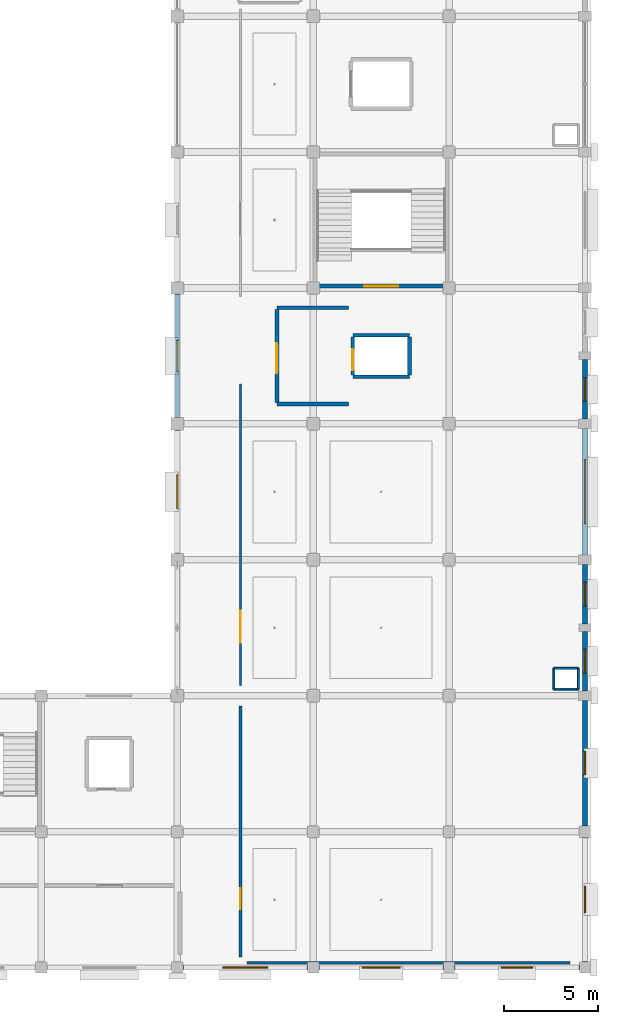
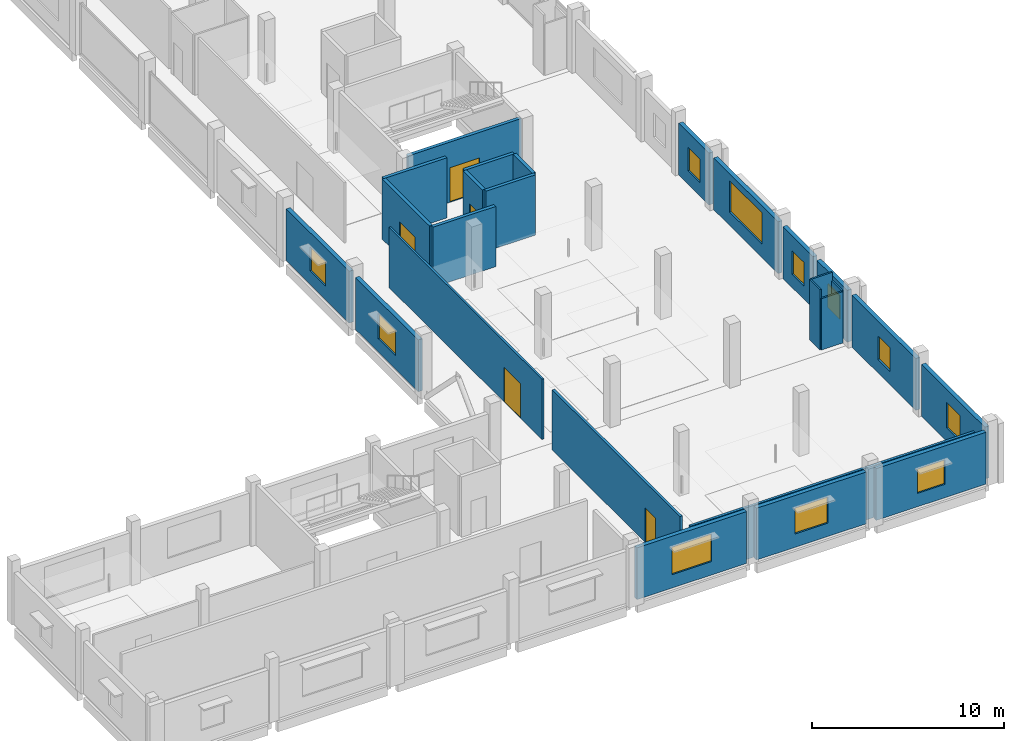
# One storey, part 57 of 77: 26 walls, 11 windows, 5 doors, 16 openings.
"""IFC4 building model written with IfcOpenShell, lengths in metres."""

from ifc_helpers import new_model, si_unit, direction, frame, frame_2d, origin, place, context, subcontext, project, spatial, rectangle, extrude, material, layer, layer_set, type_object, element, fill, save


model = new_model("IFC4")

# Units and contexts
model_context = context("Model", 3, precision=1e-05, world=origin(), true_north=direction((0.0, 1.0)))
body_context = subcontext(model_context, "Body", "Model", "MODEL_VIEW")
ifc_project = project(units=[si_unit("LENGTHUNIT", "METRE"), si_unit("AREAUNIT", "SQUARE_METRE"), si_unit("VOLUMEUNIT", "CUBIC_METRE"), si_unit("PLANEANGLEUNIT", "RADIAN"), si_unit("MASSUNIT", "GRAM", prefix="KILO")], contexts=[model_context])

# Site, building, storey
site_placement = place(None, origin())
site = spatial("IfcSite", under=ifc_project, at=site_placement, CompositionType="ELEMENT")
building_placement = place(site_placement, origin())
building = spatial("IfcBuilding", under=site, at=building_placement, Name="Kangsadwip Square Police Headquarters", CompositionType="ELEMENT")
storey_placement = place(building_placement, frame((0.0, 0.0, 17.550048828125)))
storey = spatial("IfcBuildingStorey", under=building, at=storey_placement, Name="L04", CompositionType="ELEMENT", Elevation=17.550048828125)

# Wall, opening, door
ifc_material_1 = material(Name="Fire-rated double gypsum board acoustic stud partition", Category="masonry")
ifc_layer_1 = layer(ifc_material_1, 0.1201171875)
ifc_layer_set_1 = layer_set([ifc_layer_1], Name="Fire-rated double gypsum board acoustic stud partition")
wall_type_1 = type_object("IfcWallType", Name="AcousticPartition120", PredefinedType="PARTITIONING", material=ifc_layer_set_1)
wall_1_placement = place(storey_placement, frame((147.35009765625, 36.550048828125, 0.0), z_axis=(0.0, 0.0, 1.0), x_axis=(0.0, 1.0, 0.0)))
wall_1 = element("IfcWall", 1, at=wall_1_placement, inside=storey, type_object=wall_type_1, Name="Interior Wall WI-L04-0862", PredefinedType="PARTITIONING", context=body_context, shape_type="SweptSolid", body=[
    extrude(rectangle(XDim=15.949951171875, YDim=0.1201171875, at=frame_2d((7.97509765625, 0.0))), origin(), (0.0, 0.0, 1.0), 3.829833984375),
])
opening_1_placement = place(wall_1_placement, frame((2.25, 0.0, 0.0)))
opening_1 = element("IfcOpeningElement", 2, at=opening_1_placement, cuts=wall_1, Name="Opening ID-17", PredefinedType="OPENING", context=body_context, shape_type="SweptSolid", body=[
    extrude(rectangle(XDim=1.699951171875, YDim=2.199951171875, at=frame_2d((0.85009765625, 1.10009765625))), frame((0.0, 0.070068359375, 0.0), z_axis=(0.0, -1.0, 0.0), x_axis=(1.0, 0.0, 0.0)), (0.0, 0.0, 1.0), 0.14013671875),
])
ifc_material_2 = material(Name="Insulated galvanized steel fire-rated door assembly", Category="steel")
door_type_1 = type_object("IfcDoorType", Name="LabDoubleDoor1700x2200", OperationType="DOUBLE_DOOR_SINGLE_SWING", PredefinedType="DOOR", material=ifc_material_2)
door_1_placement = place(opening_1_placement, origin())
door_1 = element("IfcDoor", 3, at=door_1_placement, inside=storey, type_object=door_type_1, Name="Interior Door ID-L04-0234", OperationType="DOUBLE_DOOR_SINGLE_SWING", OverallHeight=2.199951171875, OverallWidth=1.699951171875, PredefinedType="DOOR", context=body_context, shape_type="SweptSolid", body=[
    extrude(rectangle(XDim=1.699951171875, YDim=2.199951171875, at=frame_2d((0.85009765625, 1.10009765625))), frame((0.0, 0.02490234375, 0.0), z_axis=(0.0, -1.0, 0.0), x_axis=(1.0, 0.0, 0.0)), (0.0, 0.0, 1.0), 0.050048828125),
])
fill(opening_1, door_1)

# Wall
ifc_material_3 = material(Name="Autoclaved aerated concrete blockwork masonry", Category="masonry")
ifc_layer_2 = layer(ifc_material_3, 0.14990234375)
ifc_layer_set_2 = layer_set([ifc_layer_2], Name="Autoclaved aerated concrete blockwork masonry")
wall_type_2 = type_object("IfcWallType", Name="BlockPartition150", PredefinedType="PARTITIONING", material=ifc_layer_set_2)
wall_2_placement = place(storey_placement, frame((147.699951171875, 21.85009765625, 0.0), z_axis=(0.0, 0.0, 1.0), x_axis=(1.0, 0.0, 0.0)))
element("IfcWall", 4, at=wall_2_placement, inside=storey, type_object=wall_type_2, Name="Interior Wall WI-L04-0868", PredefinedType="PARTITIONING", context=body_context, shape_type="SweptSolid", body=[
    extrude(rectangle(XDim=17.10009765625, YDim=0.14990234375, at=frame_2d((8.550048828125, 0.0))), origin(), (0.0, 0.0, 1.0), 3.300048828125),
])

# Wall, opening, door
wall_3_placement = place(storey_placement, frame((147.35009765625, 22.14990234375, 0.0), z_axis=(0.0, 0.0, 1.0), x_axis=(0.0, 1.0, 0.0)))
wall_3 = element("IfcWall", 5, at=wall_3_placement, inside=storey, type_object=wall_type_2, Name="Interior Wall WI-L04-0869", PredefinedType="PARTITIONING", context=body_context, shape_type="SweptSolid", body=[
    extrude(rectangle(XDim=13.300048828125, YDim=0.14990234375, at=frame_2d((6.64990234375, 0.0))), origin(), (0.0, 0.0, 1.0), 3.829833984375),
])
opening_2_placement = place(wall_3_placement, frame((2.5390625, 0.0, 0.0)))
opening_2 = element("IfcOpeningElement", 6, at=opening_2_placement, cuts=wall_3, Name="Opening FD-11A", PredefinedType="OPENING", context=body_context, shape_type="SweptSolid", body=[
    extrude(rectangle(XDim=1.10009765625, YDim=2.199951171875, at=frame_2d((0.550048828125, 1.10009765625))), frame((0.0, 0.0849609375, 0.0), z_axis=(0.0, -1.0, 0.0), x_axis=(1.0, 0.0, 0.0)), (0.0, 0.0, 1.0), 0.169921875),
])
ifc_material_4 = material(Name="Insulated galvanized steel fire-rated door assembly", Category="steel")
door_type_2 = type_object("IfcDoorType", Name="LabSingleDoor1100x2200", OperationType="NOTDEFINED", PredefinedType="DOOR", material=ifc_material_4)
door_2_placement = place(opening_2_placement, origin())
door_2 = element("IfcDoor", 7, at=door_2_placement, inside=storey, type_object=door_type_2, Name="Interior Door ID-L04-0238", OperationType="SINGLE_SWING_LEFT", OverallHeight=2.199951171875, OverallWidth=1.10009765625, PredefinedType="DOOR", context=body_context, shape_type="SweptSolid", body=[
    extrude(rectangle(XDim=1.10009765625, YDim=2.199951171875, at=frame_2d((0.550048828125, 1.10009765625))), frame((0.0, 0.02490234375, 0.0), z_axis=(0.0, -1.0, 0.0), x_axis=(1.0, 0.0, 0.0)), (0.0, 0.0, 1.0), 0.050048828125),
])
fill(opening_2, door_2)

# Wall, opening, window
ifc_material_5 = material(Name="Glazed architectural terracotta masonry rainscreen", Category="masonry")
ifc_layer_3 = layer(ifc_material_5, 0.25)
ifc_layer_set_3 = layer_set([ifc_layer_3], Name="Glazed architectural terracotta masonry rainscreen")
wall_type_3 = type_object("IfcWallType", Name="ChicagoTerracottaWall250", PredefinedType="SOLIDWALL", material=ifc_layer_set_3)
wall_4_placement = place(storey_placement, frame((144.294921875, 21.60009765625, 0.0), z_axis=(0.0, 0.0, 1.0), x_axis=(1.0, 0.0, 0.0)))
wall_4 = element("IfcWall", 8, at=wall_4_placement, inside=storey, type_object=wall_type_3, Name="Exterior Wall WE-L04-425", PredefinedType="SOLIDWALL", context=body_context, shape_type="SweptSolid", body=[
    extrude(rectangle(XDim=6.610107421875, YDim=0.25, at=frame_2d((3.30517578125, 0.0))), origin(), (0.0, 0.0, 1.0), 3.294921875),
])
opening_3_placement = place(wall_4_placement, frame((2.10498046875, 0.0, 0.85009765625)))
opening_3 = element("IfcOpeningElement", 9, at=opening_3_placement, cuts=wall_4, Name="Opening WN-07", PredefinedType="OPENING", context=body_context, shape_type="SweptSolid", body=[
    extrude(rectangle(XDim=2.39990234375, YDim=1.75, at=frame_2d((1.199951171875, 0.875))), frame((0.0, 0.135009765625, 0.0), z_axis=(0.0, -1.0, 0.0), x_axis=(1.0, 0.0, 0.0)), (0.0, 0.0, 1.0), 0.27001953125),
])
ifc_material_6 = material(Name="Double-glazed solar-control low-E safety glass", Category="glass")
window_type_1 = type_object("IfcWindowType", Name="ChicagoDoubleMullWin2400x1750", PartitioningType="DOUBLE_PANEL_VERTICAL", PredefinedType="WINDOW", material=ifc_material_6)
window_1_placement = place(opening_3_placement, origin())
window_1 = element("IfcWindow", 10, at=window_1_placement, inside=storey, type_object=window_type_1, Name="Window WN-L04-0276", OverallHeight=1.75, OverallWidth=2.39990234375, PartitioningType="SINGLE_PANEL", PredefinedType="WINDOW", context=body_context, shape_type="SweptSolid", body=[
    extrude(rectangle(XDim=2.39990234375, YDim=1.75, at=frame_2d((1.199951171875, 0.875))), frame((0.0, 0.030029296875, 0.0), z_axis=(0.0, -1.0, 0.0), x_axis=(1.0, 0.0, 0.0)), (0.0, 0.0, 1.0), 0.06005859375),
])
fill(opening_3, window_1)

wall_5_placement = place(storey_placement, frame((151.4951171875, 21.60009765625, 0.0), z_axis=(0.0, 0.0, 1.0), x_axis=(1.0, 0.0, 0.0)))
wall_5 = element("IfcWall", 11, at=wall_5_placement, inside=storey, type_object=wall_type_3, Name="Exterior Wall WE-L04-426", PredefinedType="SOLIDWALL", context=body_context, shape_type="SweptSolid", body=[
    extrude(rectangle(XDim=6.60986328125, YDim=0.25, at=frame_2d((3.304931640625, 0.0))), origin(), (0.0, 0.0, 1.0), 3.294921875),
])
opening_4_placement = place(wall_5_placement, frame((2.304931640625, 0.0, 0.85009765625)))
opening_4 = element("IfcOpeningElement", 12, at=opening_4_placement, cuts=wall_5, Name="Opening WN-09", PredefinedType="OPENING", context=body_context, shape_type="SweptSolid", body=[
    extrude(rectangle(XDim=2.0, YDim=1.64990234375, at=frame_2d((1.0, 0.824951171875))), frame((0.0, 0.135009765625, 0.0), z_axis=(0.0, -1.0, 0.0), x_axis=(1.0, 0.0, 0.0)), (0.0, 0.0, 1.0), 0.27001953125),
])
ifc_material_7 = material(Name="Double-glazed solar-control low-E safety glass", Category="glass")
window_type_2 = type_object("IfcWindowType", Name="ChicagoDoubleMullWin2000x1650", PartitioningType="DOUBLE_PANEL_VERTICAL", PredefinedType="WINDOW", material=ifc_material_7)
window_2_placement = place(opening_4_placement, origin())
window_2 = element("IfcWindow", 13, at=window_2_placement, inside=storey, type_object=window_type_2, Name="Window WN-L04-0277", OverallHeight=1.64990234375, OverallWidth=2.0, PartitioningType="SINGLE_PANEL", PredefinedType="WINDOW", context=body_context, shape_type="SweptSolid", body=[
    extrude(rectangle(XDim=2.0, YDim=1.64990234375, at=frame_2d((1.0, 0.824951171875))), frame((0.0, 0.030029296875, 0.0), z_axis=(0.0, -1.0, 0.0), x_axis=(1.0, 0.0, 0.0)), (0.0, 0.0, 1.0), 0.06005859375),
])
fill(opening_4, window_2)

wall_6_placement = place(storey_placement, frame((158.695068359375, 21.60009765625, 0.0), z_axis=(0.0, 0.0, 1.0), x_axis=(1.0, 0.0, 0.0)))
wall_6 = element("IfcWall", 14, at=wall_6_placement, inside=storey, type_object=wall_type_3, Name="Exterior Wall WE-L04-427", PredefinedType="SOLIDWALL", context=body_context, shape_type="SweptSolid", body=[
    extrude(rectangle(XDim=6.60986328125, YDim=0.25, at=frame_2d((3.304931640625, 0.0))), origin(), (0.0, 0.0, 1.0), 3.294921875),
])
opening_5_placement = place(wall_6_placement, frame((2.47998046875, 0.0, 0.85009765625)))
opening_5 = element("IfcOpeningElement", 15, at=opening_5_placement, cuts=wall_6, Name="Opening WN-11", PredefinedType="OPENING", context=body_context, shape_type="SweptSolid", body=[
    extrude(rectangle(XDim=1.64990234375, YDim=1.550048828125, at=frame_2d((0.824951171875, 0.77490234375))), frame((0.0, 0.135009765625, 0.0), z_axis=(0.0, -1.0, 0.0), x_axis=(1.0, 0.0, 0.0)), (0.0, 0.0, 1.0), 0.27001953125),
])
ifc_material_8 = material(Name="Double-glazed solar-control low-E safety glass", Category="glass")
window_type_3 = type_object("IfcWindowType", Name="LabCleanViewWin1650x1550", PartitioningType="SINGLE_PANEL", PredefinedType="WINDOW", material=ifc_material_8)
window_3_placement = place(opening_5_placement, origin())
window_3 = element("IfcWindow", 16, at=window_3_placement, inside=storey, type_object=window_type_3, Name="Window WN-L04-0278", OverallHeight=1.550048828125, OverallWidth=1.64990234375, PartitioningType="SINGLE_PANEL", PredefinedType="WINDOW", context=body_context, shape_type="SweptSolid", body=[
    extrude(rectangle(XDim=1.64990234375, YDim=1.550048828125, at=frame_2d((0.824951171875, 0.77490234375))), frame((0.0, 0.030029296875, 0.0), z_axis=(0.0, -1.0, 0.0), x_axis=(1.0, 0.0, 0.0)), (0.0, 0.0, 1.0), 0.06005859375),
])
fill(opening_5, window_3)

wall_7_placement = place(storey_placement, frame((144.0, 43.52001953125, 0.0), z_axis=(0.0, 0.0, 1.0), x_axis=(0.0, 1.0, 0.0)))
wall_7 = element("IfcWall", 17, at=wall_7_placement, inside=storey, type_object=wall_type_3, Name="Exterior Wall WE-L04-458", PredefinedType="SOLIDWALL", context=body_context, shape_type="SweptSolid", body=[
    extrude(rectangle(XDim=6.56005859375, YDim=0.25, at=frame_2d((3.280029296875, 0.0))), origin(), (0.0, 0.0, 1.0), 3.294921875),
])
opening_6_placement = place(wall_7_placement, frame((2.3798828125, 0.0, 0.85009765625)))
opening_6 = element("IfcOpeningElement", 18, at=opening_6_placement, cuts=wall_7, Name="Opening WN-10", PredefinedType="OPENING", context=body_context, shape_type="SweptSolid", body=[
    extrude(rectangle(XDim=1.800048828125, YDim=1.60009765625, at=frame_2d((0.89990234375, 0.800048828125))), frame((0.0, 0.135009765625, 0.0), z_axis=(0.0, -1.0, 0.0), x_axis=(1.0, 0.0, 0.0)), (0.0, 0.0, 1.0), 0.27001953125),
])
ifc_material_9 = material(Name="Double-glazed solar-control low-E safety glass", Category="glass")
window_type_4 = type_object("IfcWindowType", Name="LabCleanViewWin1800x1600", PartitioningType="DOUBLE_PANEL_VERTICAL", PredefinedType="WINDOW", material=ifc_material_9)
window_4_placement = place(opening_6_placement, origin())
window_4 = element("IfcWindow", 19, at=window_4_placement, inside=storey, type_object=window_type_4, Name="Window WN-L04-0308", OverallHeight=1.60009765625, OverallWidth=1.800048828125, PartitioningType="SINGLE_PANEL", PredefinedType="WINDOW", context=body_context, shape_type="SweptSolid", body=[
    extrude(rectangle(XDim=1.800048828125, YDim=1.60009765625, at=frame_2d((0.89990234375, 0.800048828125))), frame((0.0, 0.030029296875, 0.0), z_axis=(0.0, -1.0, 0.0), x_axis=(1.0, 0.0, 0.0)), (0.0, 0.0, 1.0), 0.06005859375),
])
fill(opening_6, window_4)

wall_8_placement = place(storey_placement, frame((144.0, 50.719970703125, 0.0), z_axis=(0.0, 0.0, 1.0), x_axis=(0.0, 1.0, 0.0)))
wall_8 = element("IfcWall", 20, at=wall_8_placement, inside=storey, type_object=wall_type_3, Name="Exterior Wall WE-L04-459", PredefinedType="SOLIDWALL", context=body_context, shape_type="SweptSolid", body=[
    extrude(rectangle(XDim=6.56005859375, YDim=0.25, at=frame_2d((3.280029296875, 0.0))), origin(), (0.0, 0.0, 1.0), 3.294921875),
])
opening_7_placement = place(wall_8_placement, frame((2.455078125, 0.0, 0.85009765625)))
opening_7 = element("IfcOpeningElement", 21, at=opening_7_placement, cuts=wall_8, Name="Opening WN-11", PredefinedType="OPENING", context=body_context, shape_type="SweptSolid", body=[
    extrude(rectangle(XDim=1.64990234375, YDim=1.550048828125, at=frame_2d((0.824951171875, 0.77490234375))), frame((0.0, 0.135009765625, 0.0), z_axis=(0.0, -1.0, 0.0), x_axis=(1.0, 0.0, 0.0)), (0.0, 0.0, 1.0), 0.27001953125),
])
window_5_placement = place(opening_7_placement, origin())
window_5 = element("IfcWindow", 22, at=window_5_placement, inside=storey, type_object=window_type_3, Name="Window WN-L04-0309", OverallHeight=1.550048828125, OverallWidth=1.64990234375, PartitioningType="SINGLE_PANEL", PredefinedType="WINDOW", context=body_context, shape_type="SweptSolid", body=[
    extrude(rectangle(XDim=1.64990234375, YDim=1.550048828125, at=frame_2d((0.824951171875, 0.77490234375))), frame((0.0, 0.030029296875, 0.0), z_axis=(0.0, -1.0, 0.0), x_axis=(1.0, 0.0, 0.0)), (0.0, 0.0, 1.0), 0.06005859375),
])
fill(opening_7, window_5)

wall_9_placement = place(storey_placement, frame((165.60009765625, 21.89501953125, 0.0), z_axis=(0.0, 0.0, 1.0), x_axis=(0.0, 1.0, 0.0)))
wall_9 = element("IfcWall", 23, at=wall_9_placement, inside=storey, type_object=wall_type_3, Name="Exterior Wall WE-L04-463", PredefinedType="SOLIDWALL", context=body_context, shape_type="SweptSolid", body=[
    extrude(rectangle(XDim=6.60986328125, YDim=0.25, at=frame_2d((3.304931640625, 0.0))), origin(), (0.0, 0.0, 1.0), 3.294921875),
])
opening_8_placement = place(wall_9_placement, frame((2.60498046875, 0.0, 0.85009765625)))
opening_8 = element("IfcOpeningElement", 24, at=opening_8_placement, cuts=wall_9, Name="Opening WN-13", PredefinedType="OPENING", context=body_context, shape_type="SweptSolid", body=[
    extrude(rectangle(XDim=1.39990234375, YDim=1.60009765625, at=frame_2d((0.699951171875, 0.800048828125))), frame((0.0, 0.135009765625, 0.0), z_axis=(0.0, -1.0, 0.0), x_axis=(1.0, 0.0, 0.0)), (0.0, 0.0, 1.0), 0.27001953125),
])
ifc_material_10 = material(Name="Double-glazed solar-control low-E safety glass", Category="glass")
window_type_5 = type_object("IfcWindowType", Name="OfficeCasementWin1400x1600", PartitioningType="SINGLE_PANEL", PredefinedType="WINDOW", material=ifc_material_10)
window_6_placement = place(opening_8_placement, origin())
window_6 = element("IfcWindow", 25, at=window_6_placement, inside=storey, type_object=window_type_5, Name="Window WN-L04-0313", OverallHeight=1.60009765625, OverallWidth=1.39990234375, PartitioningType="SINGLE_PANEL", PredefinedType="WINDOW", context=body_context, shape_type="SweptSolid", body=[
    extrude(rectangle(XDim=1.39990234375, YDim=1.60009765625, at=frame_2d((0.699951171875, 0.800048828125))), frame((0.0, 0.030029296875, 0.0), z_axis=(0.0, -1.0, 0.0), x_axis=(1.0, 0.0, 0.0)), (0.0, 0.0, 1.0), 0.06005859375),
])
fill(opening_8, window_6)

wall_10_placement = place(storey_placement, frame((165.60009765625, 29.094970703125, 0.0), z_axis=(0.0, 0.0, 1.0), x_axis=(0.0, 1.0, 0.0)))
wall_10 = element("IfcWall", 26, at=wall_10_placement, inside=storey, type_object=wall_type_3, Name="Exterior Wall WE-L04-464", PredefinedType="SOLIDWALL", context=body_context, shape_type="SweptSolid", body=[
    extrude(rectangle(XDim=6.659912109375, YDim=0.25, at=frame_2d((3.330078125, 0.0))), origin(), (0.0, 0.0, 1.0), 3.294921875),
])
opening_9_placement = place(wall_10_placement, frame((2.705078125, 0.0, 0.85009765625)))
opening_9 = element("IfcOpeningElement", 27, at=opening_9_placement, cuts=wall_10, Name="Opening WN-14", PredefinedType="OPENING", context=body_context, shape_type="SweptSolid", body=[
    extrude(rectangle(XDim=1.25, YDim=1.5, at=frame_2d((0.625, 0.75))), frame((0.0, 0.135009765625, 0.0), z_axis=(0.0, -1.0, 0.0), x_axis=(1.0, 0.0, 0.0)), (0.0, 0.0, 1.0), 0.27001953125),
])
ifc_material_11 = material(Name="Double-glazed solar-control low-E safety glass", Category="glass")
window_type_6 = type_object("IfcWindowType", Name="OfficeCasementWin1250x1500", PartitioningType="SINGLE_PANEL", PredefinedType="WINDOW", material=ifc_material_11)
window_7_placement = place(opening_9_placement, origin())
window_7 = element("IfcWindow", 28, at=window_7_placement, inside=storey, type_object=window_type_6, Name="Window WN-L04-0314", OverallHeight=1.5, OverallWidth=1.25, PartitioningType="SINGLE_PANEL", PredefinedType="WINDOW", context=body_context, shape_type="SweptSolid", body=[
    extrude(rectangle(XDim=1.25, YDim=1.5, at=frame_2d((0.625, 0.75))), frame((0.0, 0.030029296875, 0.0), z_axis=(0.0, -1.0, 0.0), x_axis=(1.0, 0.0, 0.0)), (0.0, 0.0, 1.0), 0.06005859375),
])
fill(opening_9, window_7)

wall_11_placement = place(storey_placement, frame((165.60009765625, 36.2451171875, 0.0), z_axis=(0.0, 0.0, 1.0), x_axis=(0.0, 1.0, 0.0)))
wall_11 = element("IfcWall", 29, at=wall_11_placement, inside=storey, type_object=wall_type_3, Name="Exterior Wall WE-L04-465", PredefinedType="SOLIDWALL", context=body_context, shape_type="SweptSolid", body=[
    extrude(rectangle(XDim=3.159912109375, YDim=0.25, at=frame_2d((1.580078125, 0.0))), origin(), (0.0, 0.0, 1.0), 3.294921875),
])
opening_10_placement = place(wall_11_placement, frame((0.955078125, 0.0, 0.85009765625)))
opening_10 = element("IfcOpeningElement", 30, at=opening_10_placement, cuts=wall_11, Name="Opening WN-14", PredefinedType="OPENING", context=body_context, shape_type="SweptSolid", body=[
    extrude(rectangle(XDim=1.25, YDim=1.5, at=frame_2d((0.625, 0.75))), frame((0.0, 0.135009765625, 0.0), z_axis=(0.0, -1.0, 0.0), x_axis=(1.0, 0.0, 0.0)), (0.0, 0.0, 1.0), 0.27001953125),
])
window_8_placement = place(opening_10_placement, origin())
window_8 = element("IfcWindow", 31, at=window_8_placement, inside=storey, type_object=window_type_6, Name="Window WN-L04-0315", OverallHeight=1.5, OverallWidth=1.25, PartitioningType="SINGLE_PANEL", PredefinedType="WINDOW", context=body_context, shape_type="SweptSolid", body=[
    extrude(rectangle(XDim=1.25, YDim=1.5, at=frame_2d((0.625, 0.75))), frame((0.0, 0.030029296875, 0.0), z_axis=(0.0, -1.0, 0.0), x_axis=(1.0, 0.0, 0.0)), (0.0, 0.0, 1.0), 0.06005859375),
])
fill(opening_10, window_8)

wall_12_placement = place(storey_placement, frame((165.60009765625, 39.794921875, 0.0), z_axis=(0.0, 0.0, 1.0), x_axis=(0.0, 1.0, 0.0)))
wall_12 = element("IfcWall", 32, at=wall_12_placement, inside=storey, type_object=wall_type_3, Name="Exterior Wall WE-L04-466", PredefinedType="SOLIDWALL", context=body_context, shape_type="SweptSolid", body=[
    extrude(rectangle(XDim=3.16015625, YDim=0.25, at=frame_2d((1.580078125, 0.0))), origin(), (0.0, 0.0, 1.0), 3.294921875),
])
opening_11_placement = place(wall_12_placement, frame((0.955078125, 0.0, 0.85009765625)))
opening_11 = element("IfcOpeningElement", 33, at=opening_11_placement, cuts=wall_12, Name="Opening WN-14", PredefinedType="OPENING", context=body_context, shape_type="SweptSolid", body=[
    extrude(rectangle(XDim=1.25, YDim=1.5, at=frame_2d((0.625, 0.75))), frame((0.0, 0.135009765625, 0.0), z_axis=(0.0, -1.0, 0.0), x_axis=(1.0, 0.0, 0.0)), (0.0, 0.0, 1.0), 0.27001953125),
])
window_9_placement = place(opening_11_placement, origin())
window_9 = element("IfcWindow", 34, at=window_9_placement, inside=storey, type_object=window_type_6, Name="Window WN-L04-0316", OverallHeight=1.5, OverallWidth=1.25, PartitioningType="SINGLE_PANEL", PredefinedType="WINDOW", context=body_context, shape_type="SweptSolid", body=[
    extrude(rectangle(XDim=1.25, YDim=1.5, at=frame_2d((0.625, 0.75))), frame((0.0, 0.030029296875, 0.0), z_axis=(0.0, -1.0, 0.0), x_axis=(1.0, 0.0, 0.0)), (0.0, 0.0, 1.0), 0.06005859375),
])
fill(opening_11, window_9)

wall_13_placement = place(storey_placement, frame((165.60009765625, 43.445068359375, 0.0), z_axis=(0.0, 0.0, 1.0), x_axis=(0.0, 1.0, 0.0)))
wall_13 = element("IfcWall", 35, at=wall_13_placement, inside=storey, type_object=wall_type_3, Name="Exterior Wall WE-L04-467", PredefinedType="SOLIDWALL", context=body_context, shape_type="SweptSolid", body=[
    extrude(rectangle(XDim=6.7099609375, YDim=0.25, at=frame_2d((3.35498046875, 0.0))), origin(), (0.0, 0.0, 1.0), 3.294921875),
])
opening_12_placement = place(wall_13_placement, frame((1.655029296875, 0.0, 0.85009765625)))
opening_12 = element("IfcOpeningElement", 36, at=opening_12_placement, cuts=wall_13, Name="Opening WN-02", PredefinedType="OPENING", context=body_context, shape_type="SweptSolid", body=[
    extrude(rectangle(XDim=3.39990234375, YDim=2.0, at=frame_2d((1.699951171875, 1.0))), frame((0.0, 0.135009765625, 0.0), z_axis=(0.0, -1.0, 0.0), x_axis=(1.0, 0.0, 0.0)), (0.0, 0.0, 1.0), 0.27001953125),
])
ifc_material_12 = material(Name="Double-glazed solar-control low-E safety glass", Category="glass")
window_type_7 = type_object("IfcWindowType", Name="ChicagoTripartiteWin3400x2000", PartitioningType="TRIPLE_PANEL_HORIZONTAL", PredefinedType="WINDOW", material=ifc_material_12)
window_10_placement = place(opening_12_placement, origin())
window_10 = element("IfcWindow", 37, at=window_10_placement, inside=storey, type_object=window_type_7, Name="Window WN-L04-0317", OverallHeight=2.0, OverallWidth=3.39990234375, PartitioningType="SINGLE_PANEL", PredefinedType="WINDOW", context=body_context, shape_type="SweptSolid", body=[
    extrude(rectangle(XDim=3.39990234375, YDim=2.0, at=frame_2d((1.699951171875, 1.0))), frame((0.0, 0.030029296875, 0.0), z_axis=(0.0, -1.0, 0.0), x_axis=(1.0, 0.0, 0.0)), (0.0, 0.0, 1.0), 0.06005859375),
])
fill(opening_12, window_10)

wall_14_placement = place(storey_placement, frame((165.60009765625, 50.64501953125, 0.0), z_axis=(0.0, 0.0, 1.0), x_axis=(0.0, 1.0, 0.0)))
wall_14 = element("IfcWall", 38, at=wall_14_placement, inside=storey, type_object=wall_type_3, Name="Exterior Wall WE-L04-468", PredefinedType="SOLIDWALL", context=body_context, shape_type="SweptSolid", body=[
    extrude(rectangle(XDim=3.159912109375, YDim=0.25, at=frame_2d((1.580078125, 0.0))), origin(), (0.0, 0.0, 1.0), 3.294921875),
])
opening_13_placement = place(wall_14_placement, frame((0.955078125, 0.0, 0.85009765625)))
opening_13 = element("IfcOpeningElement", 39, at=opening_13_placement, cuts=wall_14, Name="Opening WN-14", PredefinedType="OPENING", context=body_context, shape_type="SweptSolid", body=[
    extrude(rectangle(XDim=1.25, YDim=1.5, at=frame_2d((0.625, 0.75))), frame((0.0, 0.135009765625, 0.0), z_axis=(0.0, -1.0, 0.0), x_axis=(1.0, 0.0, 0.0)), (0.0, 0.0, 1.0), 0.27001953125),
])
window_11_placement = place(opening_13_placement, origin())
window_11 = element("IfcWindow", 40, at=window_11_placement, inside=storey, type_object=window_type_6, Name="Window WN-L04-0318", OverallHeight=1.5, OverallWidth=1.25, PartitioningType="SINGLE_PANEL", PredefinedType="WINDOW", context=body_context, shape_type="SweptSolid", body=[
    extrude(rectangle(XDim=1.25, YDim=1.5, at=frame_2d((0.625, 0.75))), frame((0.0, 0.030029296875, 0.0), z_axis=(0.0, -1.0, 0.0), x_axis=(1.0, 0.0, 0.0)), (0.0, 0.0, 1.0), 0.06005859375),
])
fill(opening_13, window_11)

# Wall, opening, door
ifc_material_13 = material(Name="Concrete M40 (40 MPa)", Category="concrete")
ifc_layer_4 = layer(ifc_material_13, 0.199951171875)
ifc_layer_set_4 = layer_set([ifc_layer_4], Name="Concrete M40 (40 MPa)")
wall_type_4 = type_object("IfcWallType", Name="CoreShearWall200", PredefinedType="SHEAR", material=ifc_layer_set_4)
wall_15_placement = place(storey_placement, frame((151.39990234375, 57.699951171875, 0.0), z_axis=(0.0, 0.0, 1.0), x_axis=(1.0, 0.0, 0.0)))
wall_15 = element("IfcWall", 41, at=wall_15_placement, inside=storey, type_object=wall_type_4, Name="Interior Wall WI-L04-0109", PredefinedType="SHEAR", context=body_context, shape_type="SweptSolid", body=[
    extrude(rectangle(XDim=6.800048828125, YDim=0.199951171875, at=frame_2d((3.39990234375, 0.0))), origin(), (0.0, 0.0, 1.0), 3.829833984375),
])
opening_14_placement = place(wall_15_placement, frame((2.5, 0.0, 0.0)))
opening_14 = element("IfcOpeningElement", 42, at=opening_14_placement, cuts=wall_15, Name="Opening FD-18", PredefinedType="OPENING", context=body_context, shape_type="SweptSolid", body=[
    extrude(rectangle(XDim=1.800048828125, YDim=2.199951171875, at=frame_2d((0.89990234375, 1.10009765625))), frame((0.0, 0.10986328125, 0.0), z_axis=(0.0, -1.0, 0.0), x_axis=(1.0, 0.0, 0.0)), (0.0, 0.0, 1.0), 0.219970703125),
])
ifc_material_14 = material(Name="Insulated galvanized steel fire-rated door assembly", Category="steel")
door_type_3 = type_object("IfcDoorType", Name="StairFireDoor1800x2200", OperationType="DOUBLE_DOOR_SINGLE_SWING", PredefinedType="DOOR", material=ifc_material_14)
door_3_placement = place(opening_14_placement, origin())
door_3 = element("IfcDoor", 43, at=door_3_placement, inside=storey, type_object=door_type_3, Name="Interior Door ID-L04-0024", OperationType="DOUBLE_DOOR_SINGLE_SWING", OverallHeight=2.199951171875, OverallWidth=1.800048828125, PredefinedType="DOOR", context=body_context, shape_type="SweptSolid", body=[
    extrude(rectangle(XDim=1.800048828125, YDim=2.199951171875, at=frame_2d((0.89990234375, 1.10009765625))), frame((0.0, 0.02490234375, 0.0), z_axis=(0.0, -1.0, 0.0), x_axis=(1.0, 0.0, 0.0)), (0.0, 0.0, 1.0), 0.050048828125),
])
fill(opening_14, door_3)

# Walls
for number, where, z_axis, x_axis, name in (
    (44, (153.300048828125, 52.89990234375, 0.0), (0.0, 0.0, 1.0), (1.0, 0.0, 0.0), "Interior Wall WI-L04-0331"),
    (45, (153.300048828125, 55.10009765625, 0.0), (0.0, 0.0, 1.0), (1.0, 0.0, 0.0), "Interior Wall WI-L04-0332"),
):
    element("IfcWall", number, at=place(storey_placement, frame(where, z_axis=z_axis, x_axis=x_axis)), inside=storey, type_object=wall_type_4, Name=name, PredefinedType="SHEAR", context=body_context, shape_type="SweptSolid", body=[
        extrude(rectangle(XDim=3.0, YDim=0.199951171875, at=frame_2d((1.5, 0.0))), origin(), (0.0, 0.0, 1.0), 3.829833984375),
    ])

# Wall, opening, door
wall_16_placement = place(storey_placement, frame((153.300048828125, 53.0, 0.0), z_axis=(0.0, 0.0, 1.0), x_axis=(0.0, 1.0, 0.0)))
wall_16 = element("IfcWall", 46, at=wall_16_placement, inside=storey, type_object=wall_type_4, Name="Interior Wall WI-L04-0333", PredefinedType="SHEAR", context=body_context, shape_type="SweptSolid", body=[
    extrude(rectangle(XDim=2.0, YDim=0.199951171875, at=frame_2d((1.0, 0.0))), origin(), (0.0, 0.0, 1.0), 3.829833984375),
])
opening_15_placement = place(wall_16_placement, frame((0.25, 0.0, 0.0)))
opening_15 = element("IfcOpeningElement", 47, at=opening_15_placement, cuts=wall_16, Name="Opening LD-024", PredefinedType="OPENING", context=body_context, shape_type="SweptSolid", body=[
    extrude(rectangle(XDim=1.10009765625, YDim=2.14990234375, at=frame_2d((0.550048828125, 1.074951171875))), frame((0.0, 0.10986328125, 0.0), z_axis=(0.0, -1.0, 0.0), x_axis=(1.0, 0.0, 0.0)), (0.0, 0.0, 1.0), 0.219970703125),
])
ifc_material_15 = material(Name="Brushed stainless steel automatic sliding lift landing door", Category="steel")
door_type_4 = type_object("IfcDoorType", Name="LiftLandingDoor1100x2150", OperationType="DOUBLE_DOOR_SLIDING", PredefinedType="DOOR", material=ifc_material_15)
door_4_placement = place(opening_15_placement, origin())
door_4 = element("IfcDoor", 48, at=door_4_placement, inside=storey, type_object=door_type_4, Name="Interior Door LD-024", OperationType="DOUBLE_DOOR_SLIDING", OverallHeight=2.14990234375, OverallWidth=1.10009765625, PredefinedType="DOOR", context=body_context, shape_type="SweptSolid", body=[
    extrude(rectangle(XDim=1.10009765625, YDim=2.14990234375, at=frame_2d((0.550048828125, 1.074951171875))), frame((0.0, 0.02490234375, 0.0), z_axis=(0.0, -1.0, 0.0), x_axis=(1.0, 0.0, 0.0)), (0.0, 0.0, 1.0), 0.050048828125),
])
fill(opening_15, door_4)

# Wall
wall_17_placement = place(storey_placement, frame((156.300048828125, 53.0, 0.0), z_axis=(0.0, 0.0, 1.0), x_axis=(0.0, 1.0, 0.0)))
element("IfcWall", 49, at=wall_17_placement, inside=storey, type_object=wall_type_4, Name="Interior Wall WI-L04-0334", PredefinedType="SHEAR", context=body_context, shape_type="SweptSolid", body=[
    extrude(rectangle(XDim=2.0, YDim=0.199951171875, at=frame_2d((1.0, 0.0))), origin(), (0.0, 0.0, 1.0), 3.829833984375),
])

# Wall, opening, door
ifc_material_16 = material(Name="Concrete M40 (40 MPa)", Category="concrete")
ifc_layer_5 = layer(ifc_material_16, 0.199951171875)
ifc_layer_set_5 = layer_set([ifc_layer_5], Name="Concrete M40 (40 MPa)")
wall_type_5 = type_object("IfcWallType", Name="CustodySecurityWall200", PredefinedType="SOLIDWALL", material=ifc_layer_set_5)
wall_18_placement = place(storey_placement, frame((149.280029296875, 51.530029296875, 0.0), z_axis=(0.0, 0.0, 1.0), x_axis=(0.0, 1.0, 0.0)))
wall_18 = element("IfcWall", 50, at=wall_18_placement, inside=storey, type_object=wall_type_5, Name="Interior Wall WI-L04-0836", PredefinedType="SOLIDWALL", context=body_context, shape_type="SweptSolid", body=[
    extrude(rectangle(XDim=4.93994140625, YDim=0.199951171875, at=frame_2d((2.469970703125, 0.0))), origin(), (0.0, 0.0, 1.0), 3.829833984375),
])
opening_16_placement = place(wall_18_placement, frame((1.541015625, 0.0, 0.0)))
opening_16 = element("IfcOpeningElement", 51, at=opening_16_placement, cuts=wall_18, Name="Opening FD-16", PredefinedType="OPENING", context=body_context, shape_type="SweptSolid", body=[
    extrude(rectangle(XDim=1.60009765625, YDim=2.199951171875, at=frame_2d((0.800048828125, 1.10009765625))), frame((0.0, 0.10986328125, 0.0), z_axis=(0.0, -1.0, 0.0), x_axis=(1.0, 0.0, 0.0)), (0.0, 0.0, 1.0), 0.219970703125),
])
ifc_material_17 = material(Name="Insulated galvanized steel fire-rated door assembly", Category="steel")
door_type_5 = type_object("IfcDoorType", Name="FfLobbyFireDoor1600x2200", OperationType="DOUBLE_DOOR_SINGLE_SWING", PredefinedType="DOOR", material=ifc_material_17)
door_5_placement = place(opening_16_placement, origin())
door_5 = element("IfcDoor", 52, at=door_5_placement, inside=storey, type_object=door_type_5, Name="Interior Door ID-L04-0223", OperationType="DOUBLE_DOOR_SINGLE_SWING", OverallHeight=2.199951171875, OverallWidth=1.60009765625, PredefinedType="DOOR", context=body_context, shape_type="SweptSolid", body=[
    extrude(rectangle(XDim=1.60009765625, YDim=2.199951171875, at=frame_2d((0.800048828125, 1.10009765625))), frame((0.0, 0.02490234375, 0.0), z_axis=(0.0, -1.0, 0.0), x_axis=(1.0, 0.0, 0.0)), (0.0, 0.0, 1.0), 0.050048828125),
])
fill(opening_16, door_5)

# Walls
for number, where, z_axis, x_axis, name in (
    (53, (149.280029296875, 51.449951171875, 0.0), (0.0, 0.0, 1.0), (1.0, 0.0, 0.0), "Interior Wall WI-L04-0837"),
    (54, (149.280029296875, 56.550048828125, 0.0), (0.0, 0.0, 1.0), (1.0, 0.0, 0.0), "Interior Wall WI-L04-0838"),
):
    element("IfcWall", number, at=place(storey_placement, frame(where, z_axis=z_axis, x_axis=x_axis)), inside=storey, type_object=wall_type_5, Name=name, PredefinedType="SOLIDWALL", context=body_context, shape_type="SweptSolid", body=[
        extrude(rectangle(XDim=3.780029296875, YDim=0.199951171875, at=frame_2d((1.89013671875, 0.0))), origin(), (0.0, 0.0, 1.0), 3.829833984375),
    ])
ifc_material_18 = material(Name="Autoclaved aerated concrete blockwork masonry", Category="masonry")
ifc_layer_6 = layer(ifc_material_18, 0.10009765625)
ifc_layer_set_6 = layer_set([ifc_layer_6], Name="Autoclaved aerated concrete blockwork masonry")
wall_type_6 = type_object("IfcWallType", Name="WetWallPartition100", PredefinedType="PARTITIONING", material=ifc_layer_set_6)
wall_19_placement = place(storey_placement, frame((163.949951171875, 36.35009765625, 0.0), z_axis=(0.0, 0.0, 1.0), x_axis=(1.0, 0.0, 0.0)))
element("IfcWall", 55, at=wall_19_placement, inside=storey, type_object=wall_type_6, Name="Interior Wall WI-L04-0595", PredefinedType="PARTITIONING", context=body_context, shape_type="SweptSolid", body=[
    extrude(rectangle(XDim=1.300048828125, YDim=0.10009765625, at=frame_2d((0.64990234375, 0.0))), origin(), (0.0, 0.0, 1.0), 3.27001953125),
])
wall_20_placement = place(storey_placement, frame((163.949951171875, 37.449951171875, 0.0), z_axis=(0.0, 0.0, 1.0), x_axis=(1.0, 0.0, 0.0)))
element("IfcWall", 56, at=wall_20_placement, inside=storey, type_object=wall_type_6, Name="Interior Wall WI-L04-0596", PredefinedType="PARTITIONING", context=body_context, shape_type="SweptSolid", body=[
    extrude(rectangle(XDim=1.300048828125, YDim=0.10009765625, at=frame_2d((0.64990234375, 0.0))), origin(), (0.0, 0.0, 1.0), 3.829833984375),
])
wall_21_placement = place(storey_placement, frame((163.949951171875, 36.35009765625, 0.0), z_axis=(0.0, 0.0, 1.0), x_axis=(0.0, 1.0, 0.0)))
element("IfcWall", 57, at=wall_21_placement, inside=storey, type_object=wall_type_6, Name="Interior Wall WI-L04-0597", PredefinedType="PARTITIONING", context=body_context, shape_type="SweptSolid", body=[
    extrude(rectangle(XDim=1.099853515625, YDim=0.10009765625, at=frame_2d((0.5498046875, 0.0))), origin(), (0.0, 0.0, 1.0), 3.829833984375),
])
wall_22_placement = place(storey_placement, frame((165.25, 36.35009765625, 0.0), z_axis=(0.0, 0.0, 1.0), x_axis=(0.0, 1.0, 0.0)))
element("IfcWall", 58, at=wall_22_placement, inside=storey, type_object=wall_type_6, Name="Interior Wall WI-L04-0598", PredefinedType="PARTITIONING", context=body_context, shape_type="SweptSolid", body=[
    extrude(rectangle(XDim=1.099853515625, YDim=0.10009765625, at=frame_2d((0.5498046875, 0.0))), origin(), (0.0, 0.0, 1.0), 3.300048828125),
])

save(model, "model.ifc")
